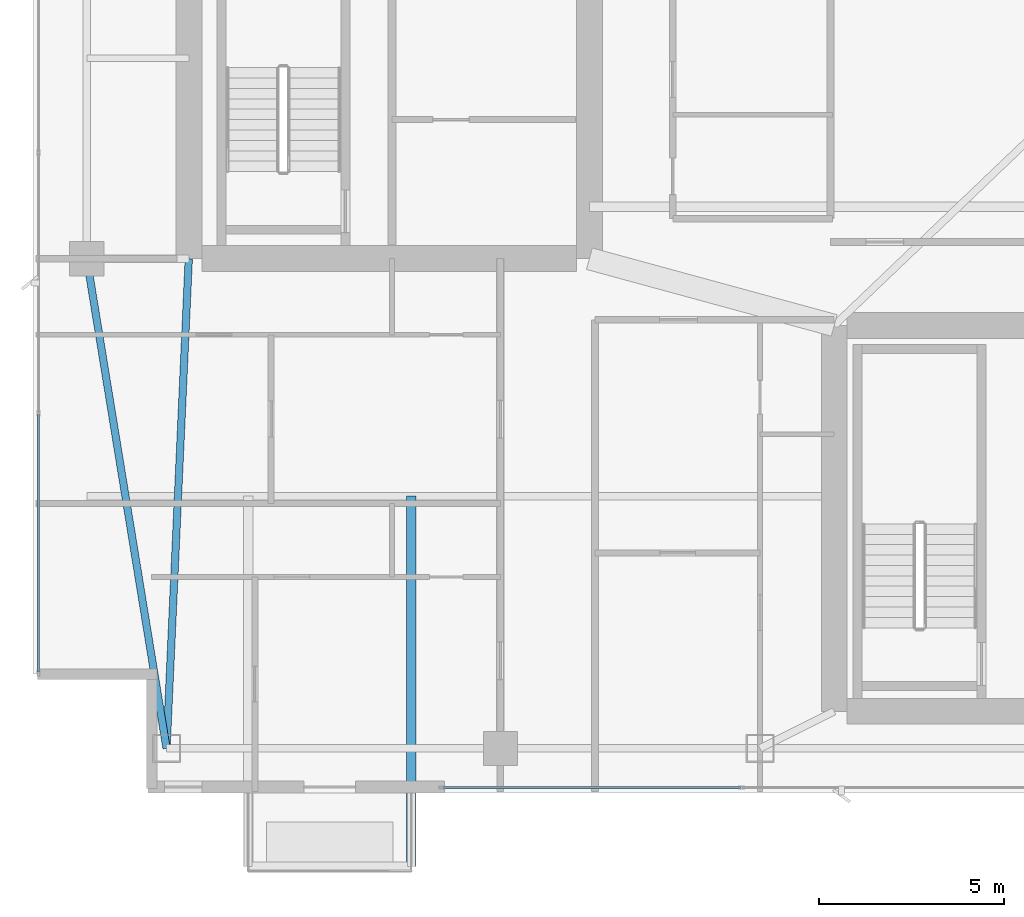
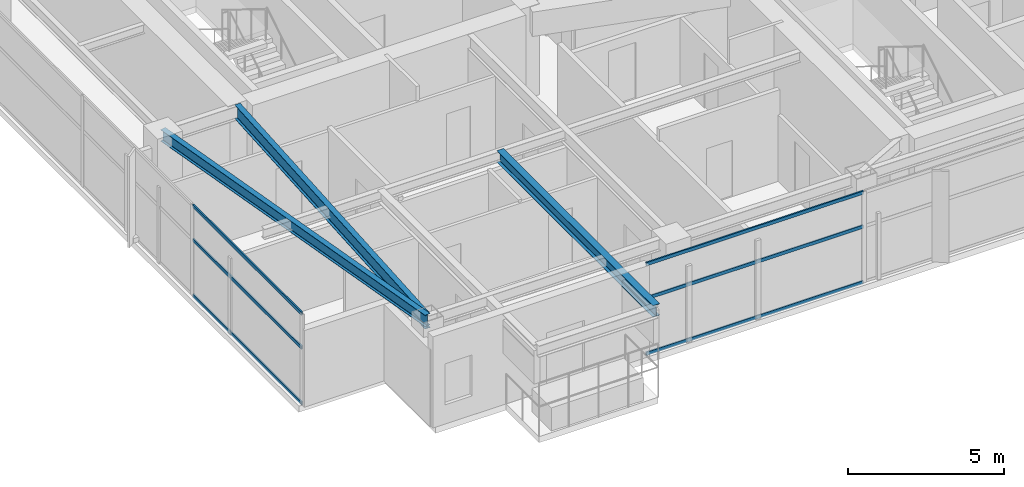
# One storey, part 4 of 29: 6 members, 3 beams, 2 elements without a shape of their own.
"""IFC4 building model written with IfcOpenShell, lengths in metres."""

from ifc_helpers import new_model, si_unit, direction, frame, origin, origin_2d, place, context, subcontext, project, spatial, hollow_rectangle, i_section, extrude, material, layer, layer_set, material_profile, profile_set, type_object, element, aggregate, save


model = new_model("IFC4")

# Units and contexts
model_context = context("Model", 3, precision=1e-05, world=origin(), true_north=direction((0.0, 1.0)))
body_context = subcontext(model_context, "Body", "Model", "MODEL_VIEW")
ifc_project = project(units=[si_unit("LENGTHUNIT", "METRE"), si_unit("AREAUNIT", "SQUARE_METRE"), si_unit("VOLUMEUNIT", "CUBIC_METRE"), si_unit("PLANEANGLEUNIT", "RADIAN"), si_unit("MASSUNIT", "GRAM", prefix="KILO")], contexts=[model_context])

# Site, building, storey
site_placement = place(None, origin())
site = spatial("IfcSite", under=ifc_project, at=site_placement, CompositionType="ELEMENT")
building_placement = place(site_placement, origin())
building = spatial("IfcBuilding", under=site, at=building_placement, Name="Calvorn Quay Hotel", CompositionType="ELEMENT")
storey_placement = place(building_placement, frame((0.0, 0.0, 247.60009765625)))
storey = spatial("IfcBuildingStorey", under=building, at=storey_placement, Name="L61", CompositionType="ELEMENT", Elevation=247.60009765625)

# Beams
ifc_material_1 = material(Name="Steel Q355B", Category="steel")
ifc_material_profile_1 = material_profile(ifc_material_1, i_section(OverallWidth=0.25, OverallDepth=0.449951171875, WebThickness=0.011962890625, FlangeThickness=0.01611328125, FilletRadius=0.01611328125, at=origin_2d()), Name="HN450x250x12x16")
ifc_profile_set_1 = profile_set([ifc_material_profile_1], Name="Steel Q355B")
beam_type_1 = type_object("IfcBeamType", Name="BM-CANT-BALC", PredefinedType="BEAM", material=ifc_profile_set_1)
beam_1_placement = place(storey_placement, frame((10.199951171875, 10.39990234375, 3.31494140625), z_axis=(0.0, -1.0, 0.0), x_axis=(1.0, 0.0, 0.0)))
element("IfcBeam", 1, at=beam_1_placement, inside=storey, type_object=beam_type_1, Name="Cantilever Balcony Beam BCB-L62-2B", PredefinedType="BEAM", context=body_context, shape_type="SweptSolid", body=[
    extrude(i_section(OverallWidth=0.25, OverallDepth=0.449951171875, WebThickness=0.011962890625, FlangeThickness=0.01611328125, FilletRadius=0.01611328125, at=origin_2d()), origin(), (0.0, 0.0, 1.0), 9.989990234375),
])
ifc_material_2 = material(Name="Steel Q355B", Category="steel")
ifc_material_profile_2 = material_profile(ifc_material_2, i_section(OverallWidth=0.199951171875, OverallDepth=0.550048828125, WebThickness=0.010009765625, FlangeThickness=0.01611328125, FilletRadius=0.01806640625, at=origin_2d()), Name="HN550x200x10x16")
ifc_profile_set_2 = profile_set([ifc_material_profile_2], Name="Steel Q355B")
beam_type_2 = type_object("IfcBeamType", Name="BM-GIRD-UPP", PredefinedType="BEAM", material=ifc_profile_set_2)
beam_2_placement = place(storey_placement, frame((3.60009765625, 3.60009765625, 3.264892578125), z_axis=(0.045396765494, 0.998969035397, 0.0), x_axis=(-0.998969035397, 0.045396765494, 0.0)))
element("IfcBeam", 2, at=beam_2_placement, inside=storey, type_object=beam_type_2, Name="Beam BG-L61-W0", PredefinedType="BEAM", context=body_context, shape_type="SweptSolid", body=[
    extrude(i_section(OverallWidth=0.199951171875, OverallDepth=0.550048828125, WebThickness=0.010009765625, FlangeThickness=0.01611328125, FilletRadius=0.01806640625, at=origin_2d()), origin(), (0.0, 0.0, 1.0), 13.213623046875),
])
ifc_material_3 = material(Name="Steel Q355B", Category="steel")
ifc_material_profile_3 = material_profile(ifc_material_3, i_section(OverallWidth=0.199951171875, OverallDepth=0.449951171875, WebThickness=0.009033203125, FlangeThickness=0.013916015625, FilletRadius=0.01611328125, at=origin_2d()), Name="HN450x200x9x14")
ifc_profile_set_3 = profile_set([ifc_material_profile_3], Name="Steel Q355B")
beam_type_3 = type_object("IfcBeamType", Name="BM-SPANDREL-Z3", PredefinedType="SPANDREL", material=ifc_profile_set_3)
beam_3_placement = place(storey_placement, frame((3.60009765625, 3.60009765625, 3.31494140625), z_axis=(-0.16077155054, 0.986991645627, 0.0), x_axis=(-0.986991645627, -0.16077155054, 0.0)))
element("IfcBeam", 3, at=beam_3_placement, inside=storey, type_object=beam_type_3, Name="Beam BSP-L61-W1", PredefinedType="SPANDREL", context=body_context, shape_type="SweptSolid", body=[
    extrude(i_section(OverallWidth=0.199951171875, OverallDepth=0.449951171875, WebThickness=0.009033203125, FlangeThickness=0.013916015625, FilletRadius=0.01611328125, at=origin_2d()), origin(), (0.0, 0.0, 1.0), 13.3740234375),
])

# Curtain wall, members
ifc_material_4 = material(Name="Champagne Bronze Anodised Aluminium and Low-E Glass", Category="aluminium")
ifc_layer = layer(ifc_material_4, 0.219970703125)
ifc_layer_set = layer_set([ifc_layer], Name="CW-SYS-Z4")
curtain_wall_type = type_object("IfcCurtainWallType", Name="CW-SYS-Z4", PredefinedType="NOTDEFINED", material=ifc_layer_set)
curtain_wall_1_placement = place(storey_placement, origin())
curtain_wall_1 = element("IfcCurtainWall", 4, at=curtain_wall_1_placement, inside=storey, type_object=curtain_wall_type, Name="Tower West Curtain Wall (L61)", PredefinedType="NOTDEFINED")
ifc_material_5 = material(Name="Champagne Bronze Anodised Aluminium 6063-T6", Category="aluminium")
ifc_material_profile_4 = material_profile(ifc_material_5, hollow_rectangle(XDim=0.054931640625, YDim=0.1298828125, WallThickness=0.003173828125, at=origin_2d()), Name="ALU-T130x55x3.2")
ifc_profile_set_4 = profile_set([ifc_material_profile_4], Name="Champagne Bronze Anodised Aluminium 6063-T6")
member_type = type_object("IfcMemberType", Name="CW-SYS-Z4-TRN", PredefinedType="USERDEFINED", material=ifc_profile_set_4)
member_1_placement = place(storey_placement, frame((0.14990234375, 5.659912109375, 0.02978515625), z_axis=(0.0, 1.0, 0.0), x_axis=(-1.0, 0.0, 0.0)))
member_1 = element("IfcMember", 5, at=member_1_placement, type_object=member_type, Name="CW-L61-W transom 1.1", ObjectType="TRANSOM", PredefinedType="USERDEFINED", context=body_context, shape_type="SweptSolid", body=[
    extrude(hollow_rectangle(XDim=0.054931640625, YDim=0.1298828125, WallThickness=0.003173828125, at=origin_2d()), origin(), (0.0, 0.0, 1.0), 6.943359375),
])
member_2_placement = place(storey_placement, frame((0.14990234375, 5.659912109375, 2.199951171875), z_axis=(0.0, 1.0, 0.0), x_axis=(-1.0, 0.0, 0.0)))
member_2 = element("IfcMember", 6, at=member_2_placement, type_object=member_type, Name="CW-L61-W transom 1.2", ObjectType="TRANSOM", PredefinedType="USERDEFINED", context=body_context, shape_type="SweptSolid", body=[
    extrude(hollow_rectangle(XDim=0.054931640625, YDim=0.1298828125, WallThickness=0.003173828125, at=origin_2d()), origin(), (0.0, 0.0, 1.0), 6.943359375),
])
member_3_placement = place(storey_placement, frame((0.14990234375, 5.659912109375, 3.52978515625), z_axis=(0.0, 1.0, 0.0), x_axis=(-1.0, 0.0, 0.0)))
member_3 = element("IfcMember", 7, at=member_3_placement, type_object=member_type, Name="CW-L61-W transom 1.3", ObjectType="TRANSOM", PredefinedType="USERDEFINED", context=body_context, shape_type="SweptSolid", body=[
    extrude(hollow_rectangle(XDim=0.054931640625, YDim=0.1298828125, WallThickness=0.003173828125, at=origin_2d()), origin(), (0.0, 0.0, 1.0), 6.943359375),
])
aggregate(curtain_wall_1, [member_1, member_2, member_3])

curtain_wall_2_placement = place(storey_placement, origin())
curtain_wall_2 = element("IfcCurtainWall", 8, at=curtain_wall_2_placement, inside=storey, type_object=curtain_wall_type, Name="Tower South Waterfront Curtain Wall (L61)", PredefinedType="NOTDEFINED")
member_4_placement = place(storey_placement, frame((11.06005859375, 2.550048828125, 0.02978515625), z_axis=(1.0, 0.0, 0.0), x_axis=(0.0, 1.0, 0.0)))
member_4 = element("IfcMember", 9, at=member_4_placement, type_object=member_type, Name="CW-L61-S transom 1.1", ObjectType="TRANSOM", PredefinedType="USERDEFINED", context=body_context, shape_type="SweptSolid", body=[
    extrude(hollow_rectangle(XDim=0.054931640625, YDim=0.1298828125, WallThickness=0.003173828125, at=origin_2d()), origin(), (0.0, 0.0, 1.0), 8.010009765625),
])
member_5_placement = place(storey_placement, frame((11.06005859375, 2.550048828125, 2.199951171875), z_axis=(1.0, 0.0, 0.0), x_axis=(0.0, 1.0, 0.0)))
member_5 = element("IfcMember", 10, at=member_5_placement, type_object=member_type, Name="CW-L61-S transom 1.2", ObjectType="TRANSOM", PredefinedType="USERDEFINED", context=body_context, shape_type="SweptSolid", body=[
    extrude(hollow_rectangle(XDim=0.054931640625, YDim=0.1298828125, WallThickness=0.003173828125, at=origin_2d()), origin(), (0.0, 0.0, 1.0), 8.010009765625),
])
member_6_placement = place(storey_placement, frame((11.06005859375, 2.550048828125, 3.52978515625), z_axis=(1.0, 0.0, 0.0), x_axis=(0.0, 1.0, 0.0)))
member_6 = element("IfcMember", 11, at=member_6_placement, type_object=member_type, Name="CW-L61-S transom 1.3", ObjectType="TRANSOM", PredefinedType="USERDEFINED", context=body_context, shape_type="SweptSolid", body=[
    extrude(hollow_rectangle(XDim=0.054931640625, YDim=0.1298828125, WallThickness=0.003173828125, at=origin_2d()), origin(), (0.0, 0.0, 1.0), 8.010009765625),
])
aggregate(curtain_wall_2, [member_4, member_5, member_6])

save(model, "model.ifc")
